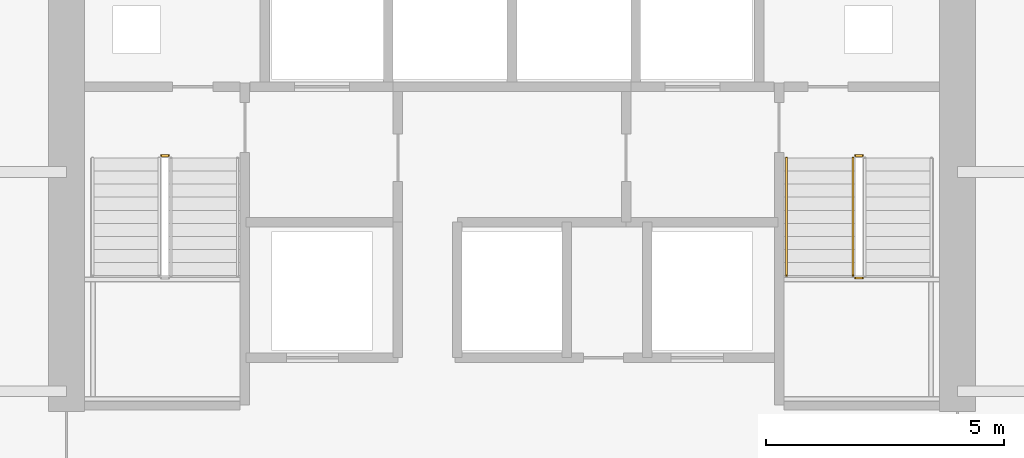
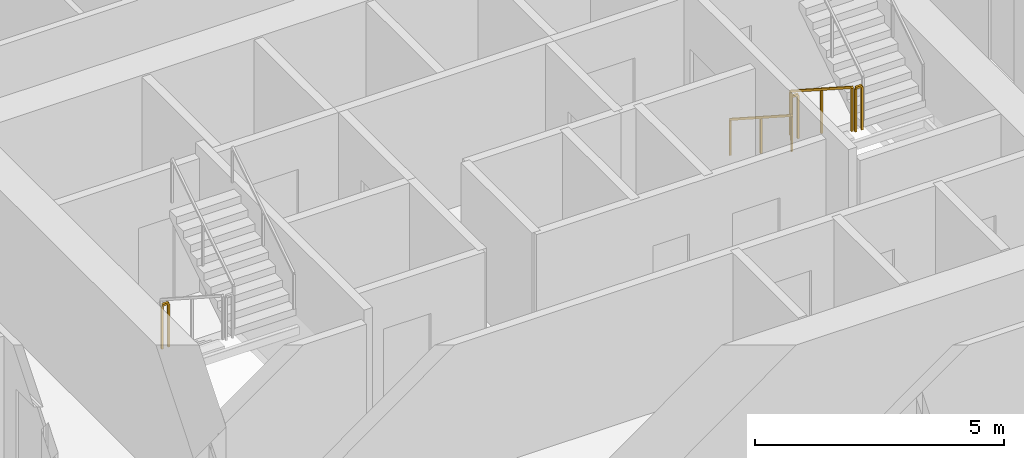
# One storey, part 10 of 11: 5 railings.
"""IFC4 building model written with IfcOpenShell, lengths in metres."""

from ifc_helpers import new_model, si_unit, direction, frame, origin, origin_2d, place, context, subcontext, project, spatial, rectangle, extrude, material, type_object, element, save


model = new_model("IFC4")

# Units and contexts
model_context = context("Model", 3, precision=1e-05, world=origin(), true_north=direction((0.0, 1.0)))
body_context = subcontext(model_context, "Body", "Model", "MODEL_VIEW")
ifc_project = project(units=[si_unit("LENGTHUNIT", "METRE"), si_unit("AREAUNIT", "SQUARE_METRE"), si_unit("VOLUMEUNIT", "CUBIC_METRE"), si_unit("PLANEANGLEUNIT", "RADIAN"), si_unit("MASSUNIT", "GRAM", prefix="KILO")], contexts=[model_context])

# Site, building, storey
site_placement = place(None, origin())
site = spatial("IfcSite", under=ifc_project, at=site_placement, CompositionType="ELEMENT")
building_placement = place(site_placement, origin())
building = spatial("IfcBuilding", under=site, at=building_placement, Name="Cinnabar Lancet Tower", CompositionType="ELEMENT")
storey_placement = place(building_placement, frame((0.0, 0.0, 144.550048828125)))
storey = spatial("IfcBuildingStorey", under=building, at=storey_placement, Name="L38", CompositionType="ELEMENT", Elevation=144.550048828125)

# Railings
ifc_material_1 = material(Name="Painted galvanized steel balustrade", Category="steel")
railing_type_1 = type_object("IfcRailingType", Name="GUARD-STAIR", PredefinedType="GUARDRAIL", material=ifc_material_1)
railing_1_placement = place(storey_placement, frame((25.02490234375, 28.449951171875, 0.0)))
element("IfcRailing", 1, at=railing_1_placement, inside=storey, type_object=railing_type_1, Name="L38 ST-1 stair guard 4", PredefinedType="GUARDRAIL", context=body_context, shape_type="SweptSolid", body=[
    extrude(rectangle(XDim=0.048095703125, YDim=0.048095703125, at=origin_2d()), frame((0.0, 0.0, 1.076171875), z_axis=(1.0, 0.0, 0.0), x_axis=(0.0, 1.0, 0.0)), (0.0, 0.0, 1.0), 0.150146484375),
    extrude(rectangle(XDim=0.0419921875, YDim=0.0419921875, at=origin_2d()), origin(), (0.0, 0.0, 1.0), 1.052001953125),
    extrude(rectangle(XDim=0.0419921875, YDim=0.0419921875, at=origin_2d()), frame((0.150146484375, 0.0, 0.0)), (0.0, 0.0, 1.0), 1.052001953125),
])
railing_2_placement = place(storey_placement, frame((39.574951171875, 28.39990234375, 0.177490234375)))
element("IfcRailing", 2, at=railing_2_placement, inside=storey, type_object=railing_type_1, Name="L38 ST-2 stair guard 1", PredefinedType="GUARDRAIL", context=body_context, shape_type="SweptSolid", body=[
    extrude(rectangle(XDim=0.048095703125, YDim=0.048095703125, at=origin_2d()), frame((0.0, 0.0, 1.076171875), z_axis=(0.0, -0.840183358697, 0.542302428327), x_axis=(1.0, 0.0, 0.0)), (0.0, 0.0, 1.0), 2.945556640625),
    extrude(rectangle(XDim=0.0419921875, YDim=0.0419921875, at=origin_2d()), origin(), (0.0, 0.0, 1.0), 1.052001953125),
    extrude(rectangle(XDim=0.0419921875, YDim=0.0419921875, at=origin_2d()), frame((0.0, -1.2373046875, 0.798828125)), (0.0, 0.0, 1.0), 1.052001953125),
    extrude(rectangle(XDim=0.0419921875, YDim=0.0419921875, at=origin_2d()), frame((0.0, -2.474853515625, 1.597412109375)), (0.0, 0.0, 1.0), 1.052001953125),
])
for number, where, name in (
    (3, (39.625, 25.875, 1.77490234375), "L38 ST-2 stair guard 2"),
    (4, (39.625, 28.449951171875, 0.0), "L38 ST-2 stair guard 4"),
):
    element("IfcRailing", number, at=place(storey_placement, frame(where)), inside=storey, type_object=railing_type_1, Name=name, PredefinedType="GUARDRAIL", context=body_context, shape_type="SweptSolid", body=[
        extrude(rectangle(XDim=0.048095703125, YDim=0.048095703125, at=origin_2d()), frame((0.0, 0.0, 1.076171875), z_axis=(1.0, 0.0, 0.0), x_axis=(0.0, 1.0, 0.0)), (0.0, 0.0, 1.0), 0.14990234375),
        extrude(rectangle(XDim=0.0419921875, YDim=0.0419921875, at=origin_2d()), origin(), (0.0, 0.0, 1.0), 1.052001953125),
        extrude(rectangle(XDim=0.0419921875, YDim=0.0419921875, at=origin_2d()), frame((0.14990234375, 0.0, 0.0)), (0.0, 0.0, 1.0), 1.052001953125),
    ])
ifc_material_2 = material(Name="Brushed stainless steel handrail", Category="steel")
railing_type_2 = type_object("IfcRailingType", Name="HANDRAIL-STAIR", PredefinedType="HANDRAIL", material=ifc_material_2)
railing_3_placement = place(storey_placement, frame((38.175048828125, 28.39990234375, 0.177490234375)))
element("IfcRailing", 5, at=railing_3_placement, inside=storey, type_object=railing_type_2, Name="L38 ST-2 stair handrail 1", PredefinedType="HANDRAIL", context=body_context, shape_type="SweptSolid", body=[
    extrude(rectangle(XDim=0.048095703125, YDim=0.048095703125, at=origin_2d()), frame((0.0, 0.0, 0.8759765625), z_axis=(0.0, -0.840183358697, 0.542302428327), x_axis=(1.0, 0.0, 0.0)), (0.0, 0.0, 1.0), 2.945556640625),
    extrude(rectangle(XDim=0.0419921875, YDim=0.0419921875, at=origin_2d()), origin(), (0.0, 0.0, 1.0), 0.851806640625),
    extrude(rectangle(XDim=0.0419921875, YDim=0.0419921875, at=origin_2d()), frame((0.0, -1.2373046875, 0.798828125)), (0.0, 0.0, 1.0), 0.851806640625),
    extrude(rectangle(XDim=0.0419921875, YDim=0.0419921875, at=origin_2d()), frame((0.0, -2.474853515625, 1.597412109375)), (0.0, 0.0, 1.0), 0.851806640625),
])

save(model, "model.ifc")
